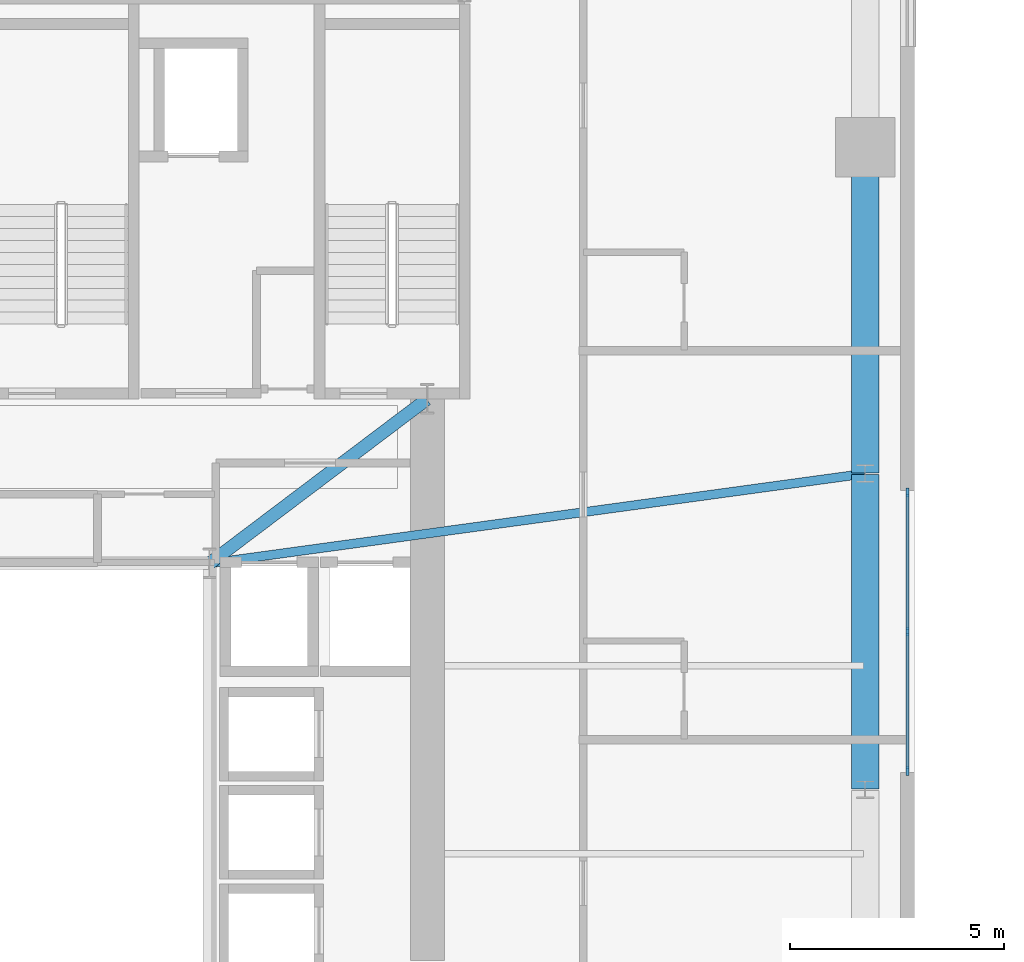
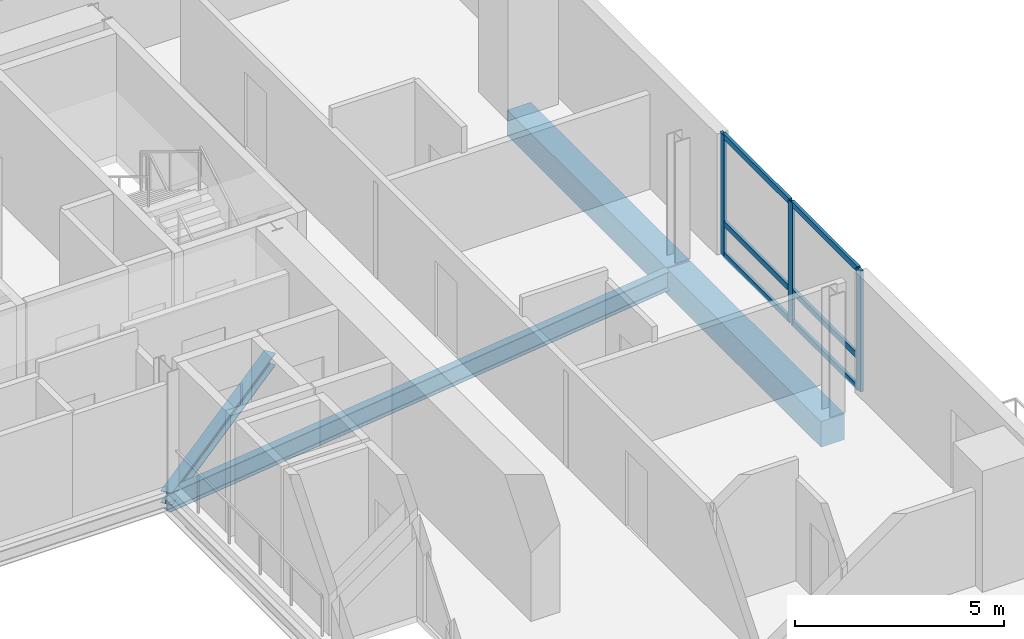
# One storey, part 5 of 16: 9 members, 4 beams, 1 element without a shape of its own.
"""IFC4 building model written with IfcOpenShell, lengths in metres."""

from ifc_helpers import new_model, si_unit, direction, frame, origin, origin_2d, place, context, subcontext, project, spatial, rectangle, i_section, extrude, source, transform, mapped, material, material_profile, profile_set, type_object, element, aggregate, save


model = new_model("IFC4")

# Units and contexts
model_context = context("Model", 3, precision=1e-05, world=origin(), true_north=direction((0.0, 1.0)))
body_context = subcontext(model_context, "Body", "Model", "MODEL_VIEW")
ifc_project = project(units=[si_unit("LENGTHUNIT", "METRE"), si_unit("AREAUNIT", "SQUARE_METRE"), si_unit("VOLUMEUNIT", "CUBIC_METRE"), si_unit("PLANEANGLEUNIT", "RADIAN"), si_unit("MASSUNIT", "GRAM", prefix="KILO")], contexts=[model_context])

# Site, building, storey
site_placement = place(None, origin())
site = spatial("IfcSite", under=ifc_project, at=site_placement, CompositionType="ELEMENT")
building_placement = place(site_placement, origin())
building = spatial("IfcBuilding", under=site, at=building_placement, Name="Vardaveli Station Tower", CompositionType="ELEMENT")
storey_placement = place(building_placement, frame((0.0, 0.0, 222.300048828125)))
storey = spatial("IfcBuildingStorey", under=building, at=storey_placement, Name="L57", CompositionType="ELEMENT", Elevation=222.300048828125)

# Beams
ifc_material_1 = material(Name="Structural steel S355J2", Category="steel")
ifc_material_profile_1 = material_profile(ifc_material_1, i_section(OverallWidth=0.300048828125, OverallDepth=0.360107421875, WebThickness=0.012451171875, FlangeThickness=0.0224609375, FilletRadius=0.027099609375, at=origin_2d()), Name="HEB 360")
ifc_profile_set_1 = profile_set([ifc_material_profile_1], Name="Structural steel S355J2")
beam_type_1 = type_object("IfcBeamType", Name="BM-HEB360", PredefinedType="BEAM", material=ifc_profile_set_1)
shared_shape_1 = source(origin(), body_context, "Body", "SweptSolid", [
    extrude(i_section(OverallWidth=0.300048828125, OverallDepth=0.360107421875, WebThickness=0.012451171875, FlangeThickness=0.0224609375, FilletRadius=0.027099609375, at=origin_2d()), origin(), (0.0, 0.0, 1.0), 6.35009765625),
])
beam_1_placement = place(storey_placement, frame((41.416015625, 26.81201171875, -0.400146484375), z_axis=(0.798118337722, 0.602500721154, 0.0), x_axis=(-0.602500721154, 0.798118337722, 0.0)))
element("IfcBeam", 1, at=beam_1_placement, inside=storey, type_object=beam_type_1, Name="CBM-L57-02", PredefinedType="BEAM", context=body_context, shape_type="MappedRepresentation", body=[
    mapped(shared_shape_1, transform((0.0, 0.0, 0.0), scale=1.0)),
])
ifc_material_2 = material(Name="Precast concrete C45/55", Category="concrete")
ifc_material_profile_2 = material_profile(ifc_material_2, rectangle(XDim=0.64990234375, YDim=0.75, at=origin_2d()), Name="LPB 650x750")
ifc_profile_set_2 = profile_set([ifc_material_profile_2], Name="Precast concrete C45/55")
beam_type_2 = type_object("IfcBeamType", Name="BM-LPB-750", PredefinedType="BEAM", material=ifc_profile_set_2)
shared_shape_2 = source(origin(), body_context, "Body", "SweptSolid", [
    extrude(rectangle(XDim=0.64990234375, YDim=0.75, at=origin_2d()), origin(), (0.0, 0.0, 1.0), 7.60009765625),
])
beam_2_placement = place(storey_placement, frame((56.75, 28.919921875, -0.594970703125), z_axis=(0.0, 1.0, 0.0), x_axis=(-1.0, 0.0, 0.0)))
element("IfcBeam", 2, at=beam_2_placement, inside=storey, type_object=beam_type_2, Name="RBM-L57-09", PredefinedType="BEAM", context=body_context, shape_type="MappedRepresentation", body=[
    mapped(shared_shape_2, transform((0.0, 0.0, 0.0), scale=1.0)),
])
shared_shape_3 = source(origin(), body_context, "Body", "SweptSolid", [
    extrude(rectangle(XDim=0.64990234375, YDim=0.75, at=origin_2d()), origin(), (0.0, 0.0, 1.0), 7.35986328125),
])
beam_3_placement = place(storey_placement, frame((56.75, 21.52001953125, -0.594970703125), z_axis=(0.0, 1.0, 0.0), x_axis=(-1.0, 0.0, 0.0)))
element("IfcBeam", 3, at=beam_3_placement, inside=storey, type_object=beam_type_2, Name="RBM-L57-08", PredefinedType="BEAM", context=body_context, shape_type="MappedRepresentation", body=[
    mapped(shared_shape_3, transform((0.0, 0.0, 0.0), scale=1.0)),
])
ifc_material_profile_3 = material_profile(ifc_material_1, i_section(OverallWidth=0.2099609375, OverallDepth=0.550048828125, WebThickness=0.010986328125, FlangeThickness=0.01708984375, FilletRadius=0.02392578125, at=origin_2d()), Name="IPE 550")
ifc_profile_set_3 = profile_set([ifc_material_profile_3], Name="Structural steel S355J2")
beam_type_3 = type_object("IfcBeamType", Name="BM-IPE550", PredefinedType="BEAM", material=ifc_profile_set_3)
shared_shape_4 = source(origin(), body_context, "Body", "SweptSolid", [
    extrude(i_section(OverallWidth=0.2099609375, OverallDepth=0.550048828125, WebThickness=0.010986328125, FlangeThickness=0.01708984375, FilletRadius=0.02392578125, at=origin_2d()), origin(), (0.0, 0.0, 1.0), 15.452880859375),
])
beam_4_placement = place(storey_placement, frame((56.730224609375, 28.897216796875, -0.4951171875), z_axis=(-0.99077191151, -0.135539733521, 0.0), x_axis=(0.135539733521, -0.99077191151, 0.0)))
element("IfcBeam", 4, at=beam_4_placement, inside=storey, type_object=beam_type_3, Name="GBM-L57-07", PredefinedType="BEAM", context=body_context, shape_type="MappedRepresentation", body=[
    mapped(shared_shape_4, transform((0.0, 0.0, 0.0), scale=1.0)),
])

# Curtain wall, members
ifc_material_3 = material(Name="Travertine stone and solar-control glass", Category="masonry")
curtain_wall_type = type_object("IfcCurtainWallType", Name="CW-SYS-5", PredefinedType="NOTDEFINED", material=ifc_material_3)
curtain_wall_placement = place(storey_placement, origin())
curtain_wall = element("IfcCurtainWall", 5, at=curtain_wall_placement, inside=storey, type_object=curtain_wall_type, Name="CW-L57-E", PredefinedType="NOTDEFINED")
ifc_material_4 = material(Name="Anodised aluminium alloy 6063-T6", Category="aluminium")
ifc_material_profile_4 = material_profile(ifc_material_4, rectangle(XDim=0.080078125, YDim=0.1650390625, at=origin_2d()), Name="CWT 80x165")
ifc_profile_set_4 = profile_set([ifc_material_profile_4], Name="Anodised aluminium alloy 6063-T6")
member_type_1 = type_object("IfcMemberType", Name="CW-SYS-5-TRAN", PredefinedType="NOTDEFINED", material=ifc_profile_set_4)
shared_shape_5 = source(origin(), body_context, "Body", "SweptSolid", [
    extrude(rectangle(XDim=0.080078125, YDim=0.1650390625, at=origin_2d()), origin(), (0.0, 0.0, 1.0), 3.179931640625),
])
member_1_placement = place(storey_placement, frame((57.739990234375, 21.97998046875, 0.0400390625), z_axis=(0.0, 1.0, 0.0), x_axis=(-1.0, 0.0, 0.0)))
member_1 = element("IfcMember", 6, at=member_1_placement, type_object=member_type_1, Name="CW-5 transom 1.1", ObjectType="TRANSOM", PredefinedType="USERDEFINED", context=body_context, shape_type="MappedRepresentation", body=[
    mapped(shared_shape_5, transform((0.0, 0.0, 0.0), scale=1.0)),
])
member_2_placement = place(storey_placement, frame((57.739990234375, 21.97998046875, 0.949951171875), z_axis=(0.0, 1.0, 0.0), x_axis=(-1.0, 0.0, 0.0)))
member_2 = element("IfcMember", 7, at=member_2_placement, type_object=member_type_1, Name="CW-5 transom 1.2", ObjectType="TRANSOM", PredefinedType="USERDEFINED", context=body_context, shape_type="MappedRepresentation", body=[
    mapped(shared_shape_5, transform((0.0, 0.0, 0.0), scale=1.0)),
])
member_3_placement = place(storey_placement, frame((57.739990234375, 21.97998046875, 3.489990234375), z_axis=(0.0, 1.0, 0.0), x_axis=(-1.0, 0.0, 0.0)))
member_3 = element("IfcMember", 8, at=member_3_placement, type_object=member_type_1, Name="CW-5 transom 1.3", ObjectType="TRANSOM", PredefinedType="USERDEFINED", context=body_context, shape_type="MappedRepresentation", body=[
    mapped(shared_shape_5, transform((0.0, 0.0, 0.0), scale=1.0)),
])
member_4_placement = place(storey_placement, frame((57.739990234375, 25.239990234375, 0.0400390625), z_axis=(0.0, 1.0, 0.0), x_axis=(-1.0, 0.0, 0.0)))
member_4 = element("IfcMember", 9, at=member_4_placement, type_object=member_type_1, Name="CW-5 transom 2.1", ObjectType="TRANSOM", PredefinedType="USERDEFINED", context=body_context, shape_type="MappedRepresentation", body=[
    mapped(shared_shape_5, transform((0.0, 0.0, 0.0), scale=1.0)),
])
member_5_placement = place(storey_placement, frame((57.739990234375, 25.239990234375, 0.949951171875), z_axis=(0.0, 1.0, 0.0), x_axis=(-1.0, 0.0, 0.0)))
member_5 = element("IfcMember", 10, at=member_5_placement, type_object=member_type_1, Name="CW-5 transom 2.2", ObjectType="TRANSOM", PredefinedType="USERDEFINED", context=body_context, shape_type="MappedRepresentation", body=[
    mapped(shared_shape_5, transform((0.0, 0.0, 0.0), scale=1.0)),
])
member_6_placement = place(storey_placement, frame((57.739990234375, 25.239990234375, 3.489990234375), z_axis=(0.0, 1.0, 0.0), x_axis=(-1.0, 0.0, 0.0)))
member_6 = element("IfcMember", 11, at=member_6_placement, type_object=member_type_1, Name="CW-5 transom 2.3", ObjectType="TRANSOM", PredefinedType="USERDEFINED", context=body_context, shape_type="MappedRepresentation", body=[
    mapped(shared_shape_5, transform((0.0, 0.0, 0.0), scale=1.0)),
])
ifc_material_profile_5 = material_profile(ifc_material_4, rectangle(XDim=0.080078125, YDim=0.205078125, at=origin_2d()), Name="CWM 80x205")
ifc_profile_set_5 = profile_set([ifc_material_profile_5], Name="Anodised aluminium alloy 6063-T6")
member_type_2 = type_object("IfcMemberType", Name="CW-SYS-5-MULL", PredefinedType="MULLION", material=ifc_profile_set_5)
shared_shape_6 = source(origin(), body_context, "Body", "SweptSolid", [
    extrude(rectangle(XDim=0.080078125, YDim=0.205078125, at=origin_2d()), origin(), (0.0, 0.0, 1.0), 3.530029296875),
])
member_7_placement = place(storey_placement, frame((57.739990234375, 21.93994140625, 0.0), z_axis=(0.0, 0.0, 1.0), x_axis=(-1.0, 0.0, 0.0)))
member_7 = element("IfcMember", 12, at=member_7_placement, type_object=member_type_2, Name="CW-5 mullion 1", PredefinedType="MULLION", context=body_context, shape_type="MappedRepresentation", body=[
    mapped(shared_shape_6, transform((0.0, 0.0, 0.0), scale=1.0)),
])
member_8_placement = place(storey_placement, frame((57.739990234375, 25.199951171875, 0.0), z_axis=(0.0, 0.0, 1.0), x_axis=(-1.0, 0.0, 0.0)))
member_8 = element("IfcMember", 13, at=member_8_placement, type_object=member_type_2, Name="CW-5 mullion 2", PredefinedType="MULLION", context=body_context, shape_type="MappedRepresentation", body=[
    mapped(shared_shape_6, transform((0.0, 0.0, 0.0), scale=1.0)),
])
member_9_placement = place(storey_placement, frame((57.739990234375, 28.4599609375, 0.0), z_axis=(0.0, 0.0, 1.0), x_axis=(-1.0, 0.0, 0.0)))
member_9 = element("IfcMember", 14, at=member_9_placement, type_object=member_type_2, Name="CW-5 mullion 3", PredefinedType="MULLION", context=body_context, shape_type="MappedRepresentation", body=[
    mapped(shared_shape_6, transform((0.0, 0.0, 0.0), scale=1.0)),
])
aggregate(curtain_wall, [member_7, member_8, member_9, member_1, member_2, member_3, member_4, member_5, member_6])

save(model, "model.ifc")
